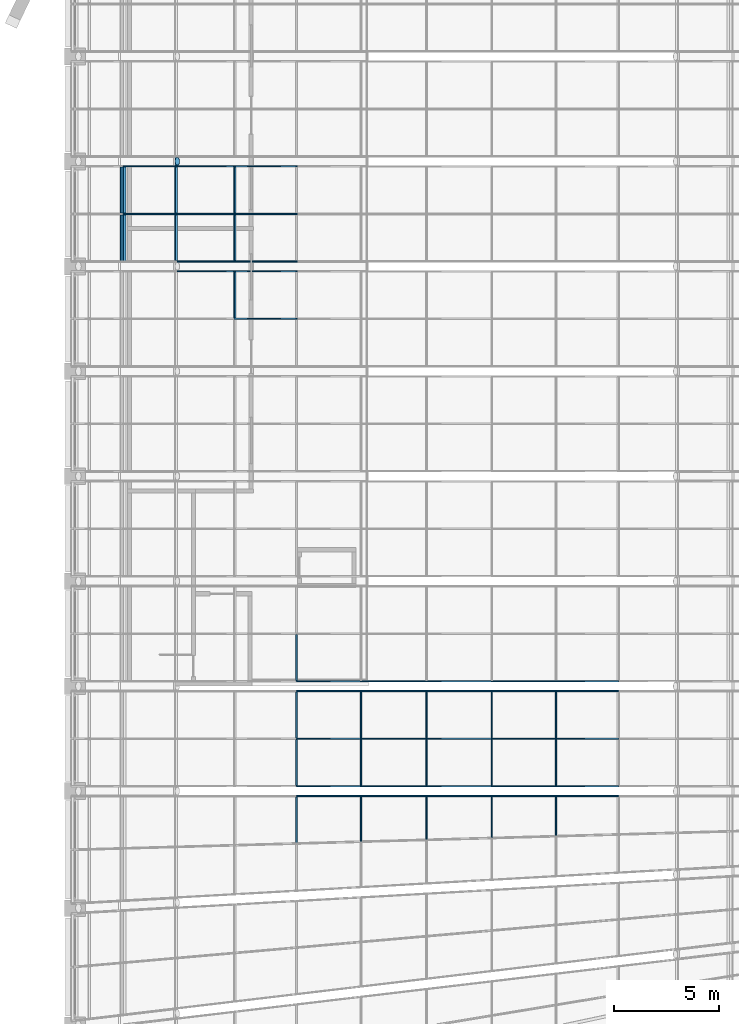
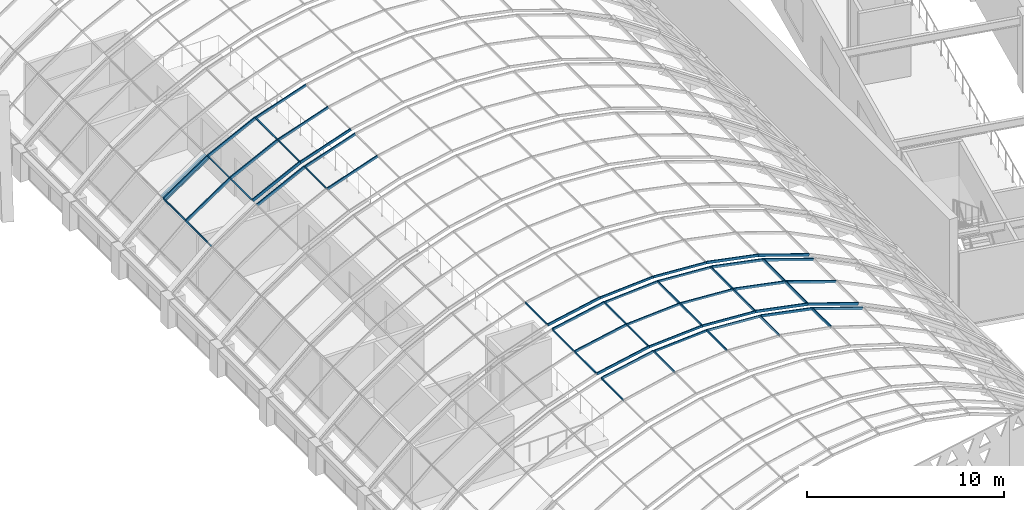
# One storey, part 42 of 182: 61 members, 5 elements without a shape of their own.
"""IFC4 building model written with IfcOpenShell, lengths in metres."""

from ifc_helpers import new_model, si_unit, direction, frame, origin, origin_2d, place, context, subcontext, project, spatial, rectangle, hollow_rectangle, hollow_circle, extrude, material, material_profile, profile_set, type_object, element, aggregate, save


model = new_model("IFC4")

# Units and contexts
model_context = context("Model", 3, precision=1e-05, world=origin(), true_north=direction((0.0, 1.0)))
body_context = subcontext(model_context, "Body", "Model", "MODEL_VIEW")
ifc_project = project(units=[si_unit("LENGTHUNIT", "METRE"), si_unit("AREAUNIT", "SQUARE_METRE"), si_unit("VOLUMEUNIT", "CUBIC_METRE"), si_unit("PLANEANGLEUNIT", "RADIAN"), si_unit("MASSUNIT", "GRAM", prefix="KILO")], contexts=[model_context])

# Site, building, storey
site_placement = place(None, origin())
site = spatial("IfcSite", under=ifc_project, at=site_placement, CompositionType="ELEMENT")
building_placement = place(site_placement, origin())
building = spatial("IfcBuilding", under=site, at=building_placement, Name="Okhra Congress Centre", CompositionType="ELEMENT")
storey_placement = place(building_placement, frame((0.0, 0.0, 7.199951171875)))
storey = spatial("IfcBuildingStorey", under=building, at=storey_placement, Name="L01", CompositionType="ELEMENT", Elevation=7.199951171875)

# Curtain wall, members
ifc_material_1 = material(Name="Aluminium frame with triple glazing", Category="aluminium")
curtain_wall_type = type_object("IfcCurtainWallType", Name="Glazed vault bay curtain wall", PredefinedType="NOTDEFINED", material=ifc_material_1)
curtain_wall_1_placement = place(storey_placement, origin())
curtain_wall_1 = element("IfcCurtainWall", 1, at=curtain_wall_1_placement, inside=storey, type_object=curtain_wall_type, Name="Vault glazing bay 3", PredefinedType="NOTDEFINED")
ifc_material_2 = material(Name="Aluminium alloy 6063", Category="aluminium")
ifc_material_profile_1 = material_profile(ifc_material_2, rectangle(XDim=0.06005859375, YDim=0.139892578125, at=origin_2d()), Name="AL 60x140")
ifc_profile_set_1 = profile_set([ifc_material_profile_1], Name="Aluminium alloy 6063")
member_type_1 = type_object("IfcMemberType", Name="Aluminium mullion 60x140", PredefinedType="MULLION", material=ifc_profile_set_1)
member_1_placement = place(storey_placement, frame((169.1337890625, 90.766845703125, 8.7392578125), z_axis=(0.997826129775, 0.0, 0.065901553385), x_axis=(0.0, 1.0, 0.0)))
member_1 = element("IfcMember", 2, at=member_1_placement, type_object=member_type_1, Name="Vault mullion 3.3.6", PredefinedType="MULLION", context=body_context, shape_type="SweptSolid", body=[
    extrude(rectangle(XDim=0.06005859375, YDim=0.139892578125, at=origin_2d()), origin(), (0.0, 0.0, 1.0), 3.123046875),
])
member_2_placement = place(storey_placement, frame((172.25, 90.766845703125, 8.945068359375), z_axis=(0.997826129775, 0.0, -0.065901553385), x_axis=(0.0, 1.0, 0.0)))
member_2 = element("IfcMember", 3, at=member_2_placement, type_object=member_type_1, Name="Vault mullion 3.3.7", PredefinedType="MULLION", context=body_context, shape_type="SweptSolid", body=[
    extrude(rectangle(XDim=0.06005859375, YDim=0.139892578125, at=origin_2d()), origin(), (0.0, 0.0, 1.0), 3.123046875),
])

curtain_wall_2_placement = place(storey_placement, origin())
curtain_wall_2 = element("IfcCurtainWall", 4, at=curtain_wall_2_placement, inside=storey, type_object=curtain_wall_type, Name="Vault glazing bay 4", PredefinedType="NOTDEFINED")
member_3_placement = place(storey_placement, frame((169.1337890625, 91.233154296875, 8.7392578125), z_axis=(0.997826129775, 0.0, 0.065901553385), x_axis=(0.0, 1.0, 0.0)))
member_3 = element("IfcMember", 5, at=member_3_placement, type_object=member_type_1, Name="Vault mullion 4.1.6", PredefinedType="MULLION", context=body_context, shape_type="SweptSolid", body=[
    extrude(rectangle(XDim=0.06005859375, YDim=0.139892578125, at=origin_2d()), origin(), (0.0, 0.0, 1.0), 3.123046875),
])
member_4_placement = place(storey_placement, frame((172.25, 91.233154296875, 8.945068359375), z_axis=(0.997826129775, 0.0, -0.065901553385), x_axis=(0.0, 1.0, 0.0)))
member_4 = element("IfcMember", 6, at=member_4_placement, type_object=member_type_1, Name="Vault mullion 4.1.7", PredefinedType="MULLION", context=body_context, shape_type="SweptSolid", body=[
    extrude(rectangle(XDim=0.06005859375, YDim=0.139892578125, at=origin_2d()), origin(), (0.0, 0.0, 1.0), 3.123046875),
])
member_5_placement = place(storey_placement, frame((169.1337890625, 93.5, 8.7392578125), z_axis=(0.997826129775, 0.0, 0.065901553385), x_axis=(0.0, 1.0, 0.0)))
member_5 = element("IfcMember", 7, at=member_5_placement, type_object=member_type_1, Name="Vault mullion 4.2.6", PredefinedType="MULLION", context=body_context, shape_type="SweptSolid", body=[
    extrude(rectangle(XDim=0.06005859375, YDim=0.139892578125, at=origin_2d()), origin(), (0.0, 0.0, 1.0), 3.123046875),
])
member_6_placement = place(storey_placement, frame((172.25, 93.5, 8.945068359375), z_axis=(0.997826129775, 0.0, -0.065901553385), x_axis=(0.0, 1.0, 0.0)))
member_6 = element("IfcMember", 8, at=member_6_placement, type_object=member_type_1, Name="Vault mullion 4.2.7", PredefinedType="MULLION", context=body_context, shape_type="SweptSolid", body=[
    extrude(rectangle(XDim=0.06005859375, YDim=0.139892578125, at=origin_2d()), origin(), (0.0, 0.0, 1.0), 3.123046875),
])
member_7_placement = place(storey_placement, frame((169.1337890625, 95.766845703125, 8.7392578125), z_axis=(0.997826129775, 0.0, 0.065901553385), x_axis=(0.0, 1.0, 0.0)))
member_7 = element("IfcMember", 9, at=member_7_placement, type_object=member_type_1, Name="Vault mullion 4.3.6", PredefinedType="MULLION", context=body_context, shape_type="SweptSolid", body=[
    extrude(rectangle(XDim=0.06005859375, YDim=0.139892578125, at=origin_2d()), origin(), (0.0, 0.0, 1.0), 3.123046875),
])
member_8_placement = place(storey_placement, frame((172.25, 95.766845703125, 8.945068359375), z_axis=(0.997826129775, 0.0, -0.065901553385), x_axis=(0.0, 1.0, 0.0)))
member_8 = element("IfcMember", 10, at=member_8_placement, type_object=member_type_1, Name="Vault mullion 4.3.7", PredefinedType="MULLION", context=body_context, shape_type="SweptSolid", body=[
    extrude(rectangle(XDim=0.06005859375, YDim=0.139892578125, at=origin_2d()), origin(), (0.0, 0.0, 1.0), 3.123046875),
])

curtain_wall_3_placement = place(storey_placement, origin())
curtain_wall_3 = element("IfcCurtainWall", 11, at=curtain_wall_3_placement, inside=storey, type_object=curtain_wall_type, Name="Vault glazing bay 5", PredefinedType="NOTDEFINED")
member_9_placement = place(storey_placement, frame((169.1337890625, 96.233154296875, 8.7392578125), z_axis=(0.997826129775, 0.0, 0.065901553385), x_axis=(0.0, 1.0, 0.0)))
member_9 = element("IfcMember", 12, at=member_9_placement, type_object=member_type_1, Name="Vault mullion 5.1.6", PredefinedType="MULLION", context=body_context, shape_type="SweptSolid", body=[
    extrude(rectangle(XDim=0.06005859375, YDim=0.139892578125, at=origin_2d()), origin(), (0.0, 0.0, 1.0), 3.123046875),
])
member_10_placement = place(storey_placement, frame((172.25, 96.233154296875, 8.945068359375), z_axis=(0.997826129775, 0.0, -0.065901553385), x_axis=(0.0, 1.0, 0.0)))
member_10 = element("IfcMember", 13, at=member_10_placement, type_object=member_type_1, Name="Vault mullion 5.1.7", PredefinedType="MULLION", context=body_context, shape_type="SweptSolid", body=[
    extrude(rectangle(XDim=0.06005859375, YDim=0.139892578125, at=origin_2d()), origin(), (0.0, 0.0, 1.0), 3.123046875),
])

# Member
ifc_material_profile_2 = material_profile(ifc_material_2, rectangle(XDim=0.06005859375, YDim=0.159912109375, at=origin_2d()), Name="AL 60x160")
ifc_profile_set_2 = profile_set([ifc_material_profile_2], Name="Aluminium alloy 6063")
member_type_2 = type_object("IfcMemberType", Name="Aluminium mullion 60x160", PredefinedType="MULLION", material=ifc_profile_set_2)
member_11_placement = place(storey_placement, frame((166.069091796875, 90.766845703125, 8.134765625), z_axis=(0.980484387086, 0.0, 0.196596965087), x_axis=(0.0, 1.0, 0.0)))
member_11 = element("IfcMember", 14, at=member_11_placement, type_object=member_type_2, Name="Vault mullion 3.3.5", PredefinedType="MULLION", context=body_context, shape_type="SweptSolid", body=[
    extrude(rectangle(XDim=0.06005859375, YDim=0.159912109375, at=origin_2d()), origin(), (0.0, 0.0, 1.0), 3.12451171875),
])

member_12_placement = place(storey_placement, frame((175.367431640625, 90.766845703125, 8.7490234375), z_axis=(0.980484387086, 0.0, -0.196596965087), x_axis=(0.0, 1.0, 0.0)))
member_12 = element("IfcMember", 15, at=member_12_placement, type_object=member_type_2, Name="Vault mullion 3.3.8", PredefinedType="MULLION", context=body_context, shape_type="SweptSolid", body=[
    extrude(rectangle(XDim=0.06005859375, YDim=0.159912109375, at=origin_2d()), origin(), (0.0, 0.0, 1.0), 3.12451171875),
])

member_13_placement = place(storey_placement, frame((178.430908203125, 90.766845703125, 8.134765625), z_axis=(0.946065064306, 0.0, -0.323976687587), x_axis=(0.0, 1.0, 0.0)))
member_13 = element("IfcMember", 16, at=member_13_placement, type_object=member_type_2, Name="Vault mullion 3.3.9", PredefinedType="MULLION", context=body_context, shape_type="SweptSolid", body=[
    extrude(rectangle(XDim=0.06005859375, YDim=0.159912109375, at=origin_2d()), origin(), (0.0, 0.0, 1.0), 3.124267578125),
])

member_14_placement = place(storey_placement, frame((166.069091796875, 91.233154296875, 8.134765625), z_axis=(0.980484387086, 0.0, 0.196596965087), x_axis=(0.0, 1.0, 0.0)))
member_14 = element("IfcMember", 17, at=member_14_placement, type_object=member_type_2, Name="Vault mullion 4.1.5", PredefinedType="MULLION", context=body_context, shape_type="SweptSolid", body=[
    extrude(rectangle(XDim=0.06005859375, YDim=0.159912109375, at=origin_2d()), origin(), (0.0, 0.0, 1.0), 3.12451171875),
])

member_15_placement = place(storey_placement, frame((175.367431640625, 91.233154296875, 8.7490234375), z_axis=(0.980484387086, 0.0, -0.196596965087), x_axis=(0.0, 1.0, 0.0)))
member_15 = element("IfcMember", 18, at=member_15_placement, type_object=member_type_2, Name="Vault mullion 4.1.8", PredefinedType="MULLION", context=body_context, shape_type="SweptSolid", body=[
    extrude(rectangle(XDim=0.06005859375, YDim=0.159912109375, at=origin_2d()), origin(), (0.0, 0.0, 1.0), 3.12451171875),
])

member_16_placement = place(storey_placement, frame((178.430908203125, 91.233154296875, 8.134765625), z_axis=(0.946065064306, 0.0, -0.323976687587), x_axis=(0.0, 1.0, 0.0)))
member_16 = element("IfcMember", 19, at=member_16_placement, type_object=member_type_2, Name="Vault mullion 4.1.9", PredefinedType="MULLION", context=body_context, shape_type="SweptSolid", body=[
    extrude(rectangle(XDim=0.06005859375, YDim=0.159912109375, at=origin_2d()), origin(), (0.0, 0.0, 1.0), 3.124267578125),
])

member_17_placement = place(storey_placement, frame((166.069091796875, 93.5, 8.134765625), z_axis=(0.980484387086, 0.0, 0.196596965087), x_axis=(0.0, 1.0, 0.0)))
member_17 = element("IfcMember", 20, at=member_17_placement, type_object=member_type_2, Name="Vault mullion 4.2.5", PredefinedType="MULLION", context=body_context, shape_type="SweptSolid", body=[
    extrude(rectangle(XDim=0.06005859375, YDim=0.159912109375, at=origin_2d()), origin(), (0.0, 0.0, 1.0), 3.12451171875),
])

member_18_placement = place(storey_placement, frame((175.367431640625, 93.5, 8.7490234375), z_axis=(0.980484387086, 0.0, -0.196596965087), x_axis=(0.0, 1.0, 0.0)))
member_18 = element("IfcMember", 21, at=member_18_placement, type_object=member_type_2, Name="Vault mullion 4.2.8", PredefinedType="MULLION", context=body_context, shape_type="SweptSolid", body=[
    extrude(rectangle(XDim=0.06005859375, YDim=0.159912109375, at=origin_2d()), origin(), (0.0, 0.0, 1.0), 3.12451171875),
])

member_19_placement = place(storey_placement, frame((178.430908203125, 93.5, 8.134765625), z_axis=(0.946065064306, 0.0, -0.323976687587), x_axis=(0.0, 1.0, 0.0)))
member_19 = element("IfcMember", 22, at=member_19_placement, type_object=member_type_2, Name="Vault mullion 4.2.9", PredefinedType="MULLION", context=body_context, shape_type="SweptSolid", body=[
    extrude(rectangle(XDim=0.06005859375, YDim=0.159912109375, at=origin_2d()), origin(), (0.0, 0.0, 1.0), 3.124267578125),
])

member_20_placement = place(storey_placement, frame((166.069091796875, 95.766845703125, 8.134765625), z_axis=(0.980484387086, 0.0, 0.196596965087), x_axis=(0.0, 1.0, 0.0)))
member_20 = element("IfcMember", 23, at=member_20_placement, type_object=member_type_2, Name="Vault mullion 4.3.5", PredefinedType="MULLION", context=body_context, shape_type="SweptSolid", body=[
    extrude(rectangle(XDim=0.06005859375, YDim=0.159912109375, at=origin_2d()), origin(), (0.0, 0.0, 1.0), 3.12451171875),
])

member_21_placement = place(storey_placement, frame((175.367431640625, 95.766845703125, 8.7490234375), z_axis=(0.980484387086, 0.0, -0.196596965087), x_axis=(0.0, 1.0, 0.0)))
member_21 = element("IfcMember", 24, at=member_21_placement, type_object=member_type_2, Name="Vault mullion 4.3.8", PredefinedType="MULLION", context=body_context, shape_type="SweptSolid", body=[
    extrude(rectangle(XDim=0.06005859375, YDim=0.159912109375, at=origin_2d()), origin(), (0.0, 0.0, 1.0), 3.12451171875),
])

member_22_placement = place(storey_placement, frame((178.430908203125, 95.766845703125, 8.134765625), z_axis=(0.946065064306, 0.0, -0.323976687587), x_axis=(0.0, 1.0, 0.0)))
member_22 = element("IfcMember", 25, at=member_22_placement, type_object=member_type_2, Name="Vault mullion 4.3.9", PredefinedType="MULLION", context=body_context, shape_type="SweptSolid", body=[
    extrude(rectangle(XDim=0.06005859375, YDim=0.159912109375, at=origin_2d()), origin(), (0.0, 0.0, 1.0), 3.124267578125),
])

member_23_placement = place(storey_placement, frame((166.069091796875, 96.233154296875, 8.134765625), z_axis=(0.980484387086, 0.0, 0.196596965087), x_axis=(0.0, 1.0, 0.0)))
member_23 = element("IfcMember", 26, at=member_23_placement, type_object=member_type_2, Name="Vault mullion 5.1.5", PredefinedType="MULLION", context=body_context, shape_type="SweptSolid", body=[
    extrude(rectangle(XDim=0.06005859375, YDim=0.159912109375, at=origin_2d()), origin(), (0.0, 0.0, 1.0), 3.12451171875),
])

member_24_placement = place(storey_placement, frame((175.367431640625, 96.233154296875, 8.7490234375), z_axis=(0.980484387086, 0.0, -0.196596965087), x_axis=(0.0, 1.0, 0.0)))
member_24 = element("IfcMember", 27, at=member_24_placement, type_object=member_type_2, Name="Vault mullion 5.1.8", PredefinedType="MULLION", context=body_context, shape_type="SweptSolid", body=[
    extrude(rectangle(XDim=0.06005859375, YDim=0.159912109375, at=origin_2d()), origin(), (0.0, 0.0, 1.0), 3.12451171875),
])

member_25_placement = place(storey_placement, frame((178.430908203125, 96.233154296875, 8.134765625), z_axis=(0.946065064306, 0.0, -0.323976687587), x_axis=(0.0, 1.0, 0.0)))
member_25 = element("IfcMember", 28, at=member_25_placement, type_object=member_type_2, Name="Vault mullion 5.1.9", PredefinedType="MULLION", context=body_context, shape_type="SweptSolid", body=[
    extrude(rectangle(XDim=0.06005859375, YDim=0.159912109375, at=origin_2d()), origin(), (0.0, 0.0, 1.0), 3.124267578125),
])

# Curtain wall, members
curtain_wall_4_placement = place(storey_placement, origin())
curtain_wall_4 = element("IfcCurtainWall", 29, at=curtain_wall_4_placement, inside=storey, type_object=curtain_wall_type, Name="Vault glazing bay 8", PredefinedType="NOTDEFINED")
member_26_placement = place(storey_placement, frame((163.11328125, 113.5, 7.12255859375), z_axis=(0.946065064306, 0.0, 0.323976687587), x_axis=(0.0, 1.0, 0.0)))
member_26 = element("IfcMember", 30, at=member_26_placement, type_object=member_type_2, Name="Vault mullion 8.2.4", PredefinedType="MULLION", context=body_context, shape_type="SweptSolid", body=[
    extrude(rectangle(XDim=0.06005859375, YDim=0.159912109375, at=origin_2d()), origin(), (0.0, 0.0, 1.0), 3.124267578125),
])
member_27_placement = place(storey_placement, frame((163.11328125, 115.766845703125, 7.12255859375), z_axis=(0.946065064306, 0.0, 0.323976687587), x_axis=(0.0, 1.0, 0.0)))
member_27 = element("IfcMember", 31, at=member_27_placement, type_object=member_type_2, Name="Vault mullion 8.3.4", PredefinedType="MULLION", context=body_context, shape_type="SweptSolid", body=[
    extrude(rectangle(XDim=0.06005859375, YDim=0.159912109375, at=origin_2d()), origin(), (0.0, 0.0, 1.0), 3.124267578125),
])

curtain_wall_5_placement = place(storey_placement, origin())
curtain_wall_5 = element("IfcCurtainWall", 32, at=curtain_wall_5_placement, inside=storey, type_object=curtain_wall_type, Name="Vault glazing bay 9", PredefinedType="NOTDEFINED")
member_28_placement = place(storey_placement, frame((163.11328125, 116.233154296875, 7.12255859375), z_axis=(0.946065064306, 0.0, 0.323976687587), x_axis=(0.0, 1.0, 0.0)))
member_28 = element("IfcMember", 33, at=member_28_placement, type_object=member_type_2, Name="Vault mullion 9.1.4", PredefinedType="MULLION", context=body_context, shape_type="SweptSolid", body=[
    extrude(rectangle(XDim=0.06005859375, YDim=0.159912109375, at=origin_2d()), origin(), (0.0, 0.0, 1.0), 3.124267578125),
])
member_29_placement = place(storey_placement, frame((163.11328125, 118.5, 7.12255859375), z_axis=(0.946065064306, 0.0, 0.323976687587), x_axis=(0.0, 1.0, 0.0)))
member_29 = element("IfcMember", 34, at=member_29_placement, type_object=member_type_2, Name="Vault mullion 9.2.4", PredefinedType="MULLION", context=body_context, shape_type="SweptSolid", body=[
    extrude(rectangle(XDim=0.06005859375, YDim=0.159912109375, at=origin_2d()), origin(), (0.0, 0.0, 1.0), 3.124267578125),
])
member_30_placement = place(storey_placement, frame((163.11328125, 120.766845703125, 7.12255859375), z_axis=(0.946065064306, 0.0, 0.323976687587), x_axis=(0.0, 1.0, 0.0)))
member_30 = element("IfcMember", 35, at=member_30_placement, type_object=member_type_2, Name="Vault mullion 9.3.4", PredefinedType="MULLION", context=body_context, shape_type="SweptSolid", body=[
    extrude(rectangle(XDim=0.06005859375, YDim=0.159912109375, at=origin_2d()), origin(), (0.0, 0.0, 1.0), 3.124267578125),
])

# Member
ifc_material_profile_3 = material_profile(ifc_material_2, rectangle(XDim=0.06005859375, YDim=0.179931640625, at=origin_2d()), Name="AL 60x180")
ifc_profile_set_3 = profile_set([ifc_material_profile_3], Name="Aluminium alloy 6063")
member_type_3 = type_object("IfcMemberType", Name="Aluminium mullion 60x180", PredefinedType="MULLION", material=ifc_profile_set_3)
member_31_placement = place(storey_placement, frame((160.311279296875, 115.766845703125, 5.7392578125), z_axis=(0.895253656313, 0.0, 0.445556832354), x_axis=(0.0, 1.0, 0.0)))
member_31 = element("IfcMember", 36, at=member_31_placement, type_object=member_type_3, Name="Vault mullion 8.3.3", PredefinedType="MULLION", context=body_context, shape_type="SweptSolid", body=[
    extrude(rectangle(XDim=0.06005859375, YDim=0.179931640625, at=origin_2d()), origin(), (0.0, 0.0, 1.0), 3.12548828125),
])

member_32_placement = place(storey_placement, frame((160.311279296875, 116.233154296875, 5.7392578125), z_axis=(0.895253656313, 0.0, 0.445556832354), x_axis=(0.0, 1.0, 0.0)))
member_32 = element("IfcMember", 37, at=member_32_placement, type_object=member_type_3, Name="Vault mullion 9.1.3", PredefinedType="MULLION", context=body_context, shape_type="SweptSolid", body=[
    extrude(rectangle(XDim=0.06005859375, YDim=0.179931640625, at=origin_2d()), origin(), (0.0, 0.0, 1.0), 3.12548828125),
])

member_33_placement = place(storey_placement, frame((157.720703125, 118.5, 3.990478515625), z_axis=(0.828827846338, 0.0, 0.559503709671), x_axis=(0.0, 1.0, 0.0)))
member_33 = element("IfcMember", 38, at=member_33_placement, type_object=member_type_3, Name="Vault mullion 9.2.2", PredefinedType="MULLION", context=body_context, shape_type="SweptSolid", body=[
    extrude(rectangle(XDim=0.06005859375, YDim=0.179931640625, at=origin_2d()), origin(), (0.0, 0.0, 1.0), 3.12548828125),
])

member_34_placement = place(storey_placement, frame((160.311279296875, 118.5, 5.7392578125), z_axis=(0.895253656313, 0.0, 0.445556832354), x_axis=(0.0, 1.0, 0.0)))
member_34 = element("IfcMember", 39, at=member_34_placement, type_object=member_type_3, Name="Vault mullion 9.2.3", PredefinedType="MULLION", context=body_context, shape_type="SweptSolid", body=[
    extrude(rectangle(XDim=0.06005859375, YDim=0.179931640625, at=origin_2d()), origin(), (0.0, 0.0, 1.0), 3.12548828125),
])

member_35_placement = place(storey_placement, frame((157.720703125, 120.766845703125, 3.990478515625), z_axis=(0.828827846338, 0.0, 0.559503709671), x_axis=(0.0, 1.0, 0.0)))
member_35 = element("IfcMember", 40, at=member_35_placement, type_object=member_type_3, Name="Vault mullion 9.3.2", PredefinedType="MULLION", context=body_context, shape_type="SweptSolid", body=[
    extrude(rectangle(XDim=0.06005859375, YDim=0.179931640625, at=origin_2d()), origin(), (0.0, 0.0, 1.0), 3.12548828125),
])

member_36_placement = place(storey_placement, frame((160.311279296875, 120.766845703125, 5.7392578125), z_axis=(0.895253656313, 0.0, 0.445556832354), x_axis=(0.0, 1.0, 0.0)))
member_36 = element("IfcMember", 41, at=member_36_placement, type_object=member_type_3, Name="Vault mullion 9.3.3", PredefinedType="MULLION", context=body_context, shape_type="SweptSolid", body=[
    extrude(rectangle(XDim=0.06005859375, YDim=0.179931640625, at=origin_2d()), origin(), (0.0, 0.0, 1.0), 3.12548828125),
])

ifc_material_profile_4 = material_profile(ifc_material_2, rectangle(XDim=0.06005859375, YDim=0.139892578125, at=origin_2d()), Name="AL 60x140 transom")
ifc_profile_set_4 = profile_set([ifc_material_profile_4], Name="Aluminium alloy 6063")
member_type_4 = type_object("IfcMemberType", Name="Aluminium transom 60x140", PredefinedType="USERDEFINED", material=ifc_profile_set_4)
member_37_placement = place(storey_placement, frame((169.1337890625, 88.621337890625, 8.7392578125), z_axis=(0.0, 1.0, 0.0), x_axis=(-0.991307202734, 0.0, -0.131567586459)))
member_37 = element("IfcMember", 42, at=member_37_placement, type_object=member_type_4, Name="Vault transom 3.2.6", ObjectType="TRANSOM", PredefinedType="USERDEFINED", context=body_context, shape_type="SweptSolid", body=[
    extrude(rectangle(XDim=0.06005859375, YDim=0.139892578125, at=origin_2d()), origin(), (0.0, 0.0, 1.0), 2.115478515625),
])

member_38_placement = place(storey_placement, frame((172.25, 88.708984375, 8.945068359375), z_axis=(0.0, 1.0, 0.0), x_axis=(-1.0, 0.0, 0.0)))
member_38 = element("IfcMember", 43, at=member_38_placement, type_object=member_type_4, Name="Vault transom 3.2.7", ObjectType="TRANSOM", PredefinedType="USERDEFINED", context=body_context, shape_type="SweptSolid", body=[
    extrude(rectangle(XDim=0.06005859375, YDim=0.139892578125, at=origin_2d()), origin(), (0.0, 0.0, 1.0), 2.02783203125),
])

member_39_placement = place(storey_placement, frame((175.3662109375, 88.796630859375, 8.7392578125), z_axis=(0.0, 1.0, 0.0), x_axis=(-0.991307202734, 0.0, 0.131567586459)))
member_39 = element("IfcMember", 44, at=member_39_placement, type_object=member_type_4, Name="Vault transom 3.2.8", ObjectType="TRANSOM", PredefinedType="USERDEFINED", context=body_context, shape_type="SweptSolid", body=[
    extrude(rectangle(XDim=0.06005859375, YDim=0.139892578125, at=origin_2d()), origin(), (0.0, 0.0, 1.0), 1.940185546875),
])

member_40_placement = place(storey_placement, frame((169.1337890625, 91.26318359375, 8.7392578125), z_axis=(0.0, 1.0, 0.0), x_axis=(-0.991307202734, 0.0, -0.131567586459)))
member_40 = element("IfcMember", 45, at=member_40_placement, type_object=member_type_4, Name="Vault transom 4.1.6", ObjectType="TRANSOM", PredefinedType="USERDEFINED", context=body_context, shape_type="SweptSolid", body=[
    extrude(rectangle(XDim=0.06005859375, YDim=0.139892578125, at=origin_2d()), origin(), (0.0, 0.0, 1.0), 2.206787109375),
])

member_41_placement = place(storey_placement, frame((172.25, 91.26318359375, 8.945068359375), z_axis=(0.0, 1.0, 0.0), x_axis=(-1.0, 0.0, 0.0)))
member_41 = element("IfcMember", 46, at=member_41_placement, type_object=member_type_4, Name="Vault transom 4.1.7", ObjectType="TRANSOM", PredefinedType="USERDEFINED", context=body_context, shape_type="SweptSolid", body=[
    extrude(rectangle(XDim=0.06005859375, YDim=0.139892578125, at=origin_2d()), origin(), (0.0, 0.0, 1.0), 2.206787109375),
])

member_42_placement = place(storey_placement, frame((175.3662109375, 91.26318359375, 8.7392578125), z_axis=(0.0, 1.0, 0.0), x_axis=(-0.991307202734, 0.0, 0.131567586459)))
member_42 = element("IfcMember", 47, at=member_42_placement, type_object=member_type_4, Name="Vault transom 4.1.8", ObjectType="TRANSOM", PredefinedType="USERDEFINED", context=body_context, shape_type="SweptSolid", body=[
    extrude(rectangle(XDim=0.06005859375, YDim=0.139892578125, at=origin_2d()), origin(), (0.0, 0.0, 1.0), 2.206787109375),
])

member_43_placement = place(storey_placement, frame((169.1337890625, 93.530029296875, 8.7392578125), z_axis=(0.0, 1.0, 0.0), x_axis=(-0.991307202734, 0.0, -0.131567586459)))
member_43 = element("IfcMember", 48, at=member_43_placement, type_object=member_type_4, Name="Vault transom 4.2.6", ObjectType="TRANSOM", PredefinedType="USERDEFINED", context=body_context, shape_type="SweptSolid", body=[
    extrude(rectangle(XDim=0.06005859375, YDim=0.139892578125, at=origin_2d()), origin(), (0.0, 0.0, 1.0), 2.206787109375),
])

member_44_placement = place(storey_placement, frame((172.25, 93.530029296875, 8.945068359375), z_axis=(0.0, 1.0, 0.0), x_axis=(-1.0, 0.0, 0.0)))
member_44 = element("IfcMember", 49, at=member_44_placement, type_object=member_type_4, Name="Vault transom 4.2.7", ObjectType="TRANSOM", PredefinedType="USERDEFINED", context=body_context, shape_type="SweptSolid", body=[
    extrude(rectangle(XDim=0.06005859375, YDim=0.139892578125, at=origin_2d()), origin(), (0.0, 0.0, 1.0), 2.206787109375),
])

member_45_placement = place(storey_placement, frame((175.3662109375, 93.530029296875, 8.7392578125), z_axis=(0.0, 1.0, 0.0), x_axis=(-0.991307202734, 0.0, 0.131567586459)))
member_45 = element("IfcMember", 50, at=member_45_placement, type_object=member_type_4, Name="Vault transom 4.2.8", ObjectType="TRANSOM", PredefinedType="USERDEFINED", context=body_context, shape_type="SweptSolid", body=[
    extrude(rectangle(XDim=0.06005859375, YDim=0.139892578125, at=origin_2d()), origin(), (0.0, 0.0, 1.0), 2.206787109375),
])

ifc_material_profile_5 = material_profile(ifc_material_2, rectangle(XDim=0.06005859375, YDim=0.159912109375, at=origin_2d()), Name="AL 60x160 transom")
ifc_profile_set_5 = profile_set([ifc_material_profile_5], Name="Aluminium alloy 6063")
member_type_5 = type_object("IfcMemberType", Name="Aluminium transom 60x160", PredefinedType="USERDEFINED", material=ifc_profile_set_5)
member_46_placement = place(storey_placement, frame((166.069091796875, 88.53515625, 8.134765625), z_axis=(0.0, 1.0, 0.0), x_axis=(-0.965379940391, 0.0, -0.260847792191)))
member_46 = element("IfcMember", 51, at=member_46_placement, type_object=member_type_5, Name="Vault transom 3.2.5", ObjectType="TRANSOM", PredefinedType="USERDEFINED", context=body_context, shape_type="SweptSolid", body=[
    extrude(rectangle(XDim=0.06005859375, YDim=0.159912109375, at=origin_2d()), origin(), (0.0, 0.0, 1.0), 2.20166015625),
])

member_47_placement = place(storey_placement, frame((178.430908203125, 88.8828125, 8.134765625), z_axis=(0.0, 1.0, 0.0), x_axis=(-0.965379940391, 0.0, 0.260847792191)))
member_47 = element("IfcMember", 52, at=member_47_placement, type_object=member_type_5, Name="Vault transom 3.2.9", ObjectType="TRANSOM", PredefinedType="USERDEFINED", context=body_context, shape_type="SweptSolid", body=[
    extrude(rectangle(XDim=0.06005859375, YDim=0.159912109375, at=origin_2d()), origin(), (0.0, 0.0, 1.0), 1.85400390625),
])

aggregate(curtain_wall_1, [member_11, member_1, member_2, member_12, member_13, member_46, member_37, member_38, member_39, member_47])

member_48_placement = place(storey_placement, frame((166.069091796875, 91.26318359375, 8.134765625), z_axis=(0.0, 1.0, 0.0), x_axis=(-0.965379940391, 0.0, -0.260847792191)))
member_48 = element("IfcMember", 53, at=member_48_placement, type_object=member_type_5, Name="Vault transom 4.1.5", ObjectType="TRANSOM", PredefinedType="USERDEFINED", context=body_context, shape_type="SweptSolid", body=[
    extrude(rectangle(XDim=0.06005859375, YDim=0.159912109375, at=origin_2d()), origin(), (0.0, 0.0, 1.0), 2.206787109375),
])

member_49_placement = place(storey_placement, frame((178.430908203125, 91.26318359375, 8.134765625), z_axis=(0.0, 1.0, 0.0), x_axis=(-0.965379940391, 0.0, 0.260847792191)))
member_49 = element("IfcMember", 54, at=member_49_placement, type_object=member_type_5, Name="Vault transom 4.1.9", ObjectType="TRANSOM", PredefinedType="USERDEFINED", context=body_context, shape_type="SweptSolid", body=[
    extrude(rectangle(XDim=0.06005859375, YDim=0.159912109375, at=origin_2d()), origin(), (0.0, 0.0, 1.0), 2.206787109375),
])

member_50_placement = place(storey_placement, frame((166.069091796875, 93.530029296875, 8.134765625), z_axis=(0.0, 1.0, 0.0), x_axis=(-0.965379940391, 0.0, -0.260847792191)))
member_50 = element("IfcMember", 55, at=member_50_placement, type_object=member_type_5, Name="Vault transom 4.2.5", ObjectType="TRANSOM", PredefinedType="USERDEFINED", context=body_context, shape_type="SweptSolid", body=[
    extrude(rectangle(XDim=0.06005859375, YDim=0.159912109375, at=origin_2d()), origin(), (0.0, 0.0, 1.0), 2.206787109375),
])

member_51_placement = place(storey_placement, frame((178.430908203125, 93.530029296875, 8.134765625), z_axis=(0.0, 1.0, 0.0), x_axis=(-0.965379940391, 0.0, 0.260847792191)))
member_51 = element("IfcMember", 56, at=member_51_placement, type_object=member_type_5, Name="Vault transom 4.2.9", ObjectType="TRANSOM", PredefinedType="USERDEFINED", context=body_context, shape_type="SweptSolid", body=[
    extrude(rectangle(XDim=0.06005859375, YDim=0.159912109375, at=origin_2d()), origin(), (0.0, 0.0, 1.0), 2.206787109375),
])

aggregate(curtain_wall_2, [member_14, member_3, member_4, member_15, member_16, member_17, member_5, member_6, member_18, member_19, member_20, member_7, member_8, member_21, member_22, member_48, member_40, member_41, member_42, member_49, member_50, member_43, member_44, member_45, member_51])

member_52_placement = place(storey_placement, frame((166.069091796875, 96.26318359375, 8.134765625), z_axis=(0.0, 1.0, 0.0), x_axis=(-0.965379940391, 0.0, -0.260847792191)))
member_52 = element("IfcMember", 57, at=member_52_placement, type_object=member_type_5, Name="Vault transom 5.1.5", ObjectType="TRANSOM", PredefinedType="USERDEFINED", context=body_context, shape_type="SweptSolid", body=[
    extrude(rectangle(XDim=0.06005859375, YDim=0.159912109375, at=origin_2d()), origin(), (0.0, 0.0, 1.0), 2.206787109375),
])

aggregate(curtain_wall_3, [member_23, member_9, member_10, member_24, member_25, member_52])

member_53_placement = place(storey_placement, frame((163.11328125, 113.530029296875, 7.12255859375), z_axis=(0.0, 1.0, 0.0), x_axis=(-0.922668973833, 0.0, -0.38559300399)))
member_53 = element("IfcMember", 58, at=member_53_placement, type_object=member_type_5, Name="Vault transom 8.2.4", ObjectType="TRANSOM", PredefinedType="USERDEFINED", context=body_context, shape_type="SweptSolid", body=[
    extrude(rectangle(XDim=0.06005859375, YDim=0.159912109375, at=origin_2d()), origin(), (0.0, 0.0, 1.0), 2.206787109375),
])

aggregate(curtain_wall_4, [member_26, member_31, member_27, member_53])

member_54_placement = place(storey_placement, frame((163.11328125, 116.26318359375, 7.12255859375), z_axis=(0.0, 1.0, 0.0), x_axis=(-0.922668973833, 0.0, -0.38559300399)))
member_54 = element("IfcMember", 59, at=member_54_placement, type_object=member_type_5, Name="Vault transom 9.1.4", ObjectType="TRANSOM", PredefinedType="USERDEFINED", context=body_context, shape_type="SweptSolid", body=[
    extrude(rectangle(XDim=0.06005859375, YDim=0.159912109375, at=origin_2d()), origin(), (0.0, 0.0, 1.0), 2.206787109375),
])

member_55_placement = place(storey_placement, frame((163.11328125, 118.530029296875, 7.12255859375), z_axis=(0.0, 1.0, 0.0), x_axis=(-0.922668973833, 0.0, -0.38559300399)))
member_55 = element("IfcMember", 60, at=member_55_placement, type_object=member_type_5, Name="Vault transom 9.2.4", ObjectType="TRANSOM", PredefinedType="USERDEFINED", context=body_context, shape_type="SweptSolid", body=[
    extrude(rectangle(XDim=0.06005859375, YDim=0.159912109375, at=origin_2d()), origin(), (0.0, 0.0, 1.0), 2.206787109375),
])

ifc_material_profile_6 = material_profile(ifc_material_2, rectangle(XDim=0.06005859375, YDim=0.179931640625, at=origin_2d()), Name="AL 60x180 transom")
ifc_profile_set_6 = profile_set([ifc_material_profile_6], Name="Aluminium alloy 6063")
member_type_6 = type_object("IfcMemberType", Name="Aluminium transom 60x180", PredefinedType="USERDEFINED", material=ifc_profile_set_6)
member_56_placement = place(storey_placement, frame((157.720703125, 116.26318359375, 3.990478515625), z_axis=(0.0, 1.0, 0.0), x_axis=(-0.790145035185, 0.0, -0.612919915954)))
member_56 = element("IfcMember", 61, at=member_56_placement, type_object=member_type_6, Name="Vault transom 9.1.2", ObjectType="TRANSOM", PredefinedType="USERDEFINED", context=body_context, shape_type="SweptSolid", body=[
    extrude(rectangle(XDim=0.06005859375, YDim=0.179931640625, at=origin_2d()), origin(), (0.0, 0.0, 1.0), 2.206787109375),
])

member_57_placement = place(storey_placement, frame((160.311279296875, 116.26318359375, 5.7392578125), z_axis=(0.0, 1.0, 0.0), x_axis=(-0.86391685861, 0.0, -0.503634452167)))
member_57 = element("IfcMember", 62, at=member_57_placement, type_object=member_type_6, Name="Vault transom 9.1.3", ObjectType="TRANSOM", PredefinedType="USERDEFINED", context=body_context, shape_type="SweptSolid", body=[
    extrude(rectangle(XDim=0.06005859375, YDim=0.179931640625, at=origin_2d()), origin(), (0.0, 0.0, 1.0), 2.206787109375),
])

member_58_placement = place(storey_placement, frame((157.720703125, 118.530029296875, 3.990478515625), z_axis=(0.0, 1.0, 0.0), x_axis=(-0.790145035185, 0.0, -0.612919915954)))
member_58 = element("IfcMember", 63, at=member_58_placement, type_object=member_type_6, Name="Vault transom 9.2.2", ObjectType="TRANSOM", PredefinedType="USERDEFINED", context=body_context, shape_type="SweptSolid", body=[
    extrude(rectangle(XDim=0.06005859375, YDim=0.179931640625, at=origin_2d()), origin(), (0.0, 0.0, 1.0), 2.206787109375),
])

member_59_placement = place(storey_placement, frame((160.311279296875, 118.530029296875, 5.7392578125), z_axis=(0.0, 1.0, 0.0), x_axis=(-0.86391685861, 0.0, -0.503634452167)))
member_59 = element("IfcMember", 64, at=member_59_placement, type_object=member_type_6, Name="Vault transom 9.2.3", ObjectType="TRANSOM", PredefinedType="USERDEFINED", context=body_context, shape_type="SweptSolid", body=[
    extrude(rectangle(XDim=0.06005859375, YDim=0.179931640625, at=origin_2d()), origin(), (0.0, 0.0, 1.0), 2.206787109375),
])

aggregate(curtain_wall_5, [member_32, member_28, member_33, member_34, member_29, member_35, member_36, member_30, member_56, member_57, member_54, member_58, member_59, member_55])

# Members
ifc_material_3 = material(Name="Steel S355J2", Category="steel")
ifc_material_profile_7 = material_profile(ifc_material_3, hollow_rectangle(XDim=0.10009765625, YDim=0.199951171875, WallThickness=0.008056640625, at=origin_2d()), Name="RHS 200x100x8")
ifc_profile_set_7 = profile_set([ifc_material_profile_7], Name="Steel S355J2")
member_type_7 = type_object("IfcMemberType", Name="Steel purlin RHS 200x100x8", PredefinedType="PURLIN", material=ifc_profile_set_7)
member_60_placement = place(storey_placement, frame((157.837158203125, 116.203125, 3.84033203125), z_axis=(0.0, 1.0, 0.0), x_axis=(-0.790145035185, 0.0, -0.612919915954)))
element("IfcMember", 65, at=member_60_placement, inside=storey, type_object=member_type_7, Name="Vault purlin 9.1", PredefinedType="PURLIN", context=body_context, shape_type="SweptSolid", body=[
    extrude(hollow_rectangle(XDim=0.10009765625, YDim=0.199951171875, WallThickness=0.008056640625, at=origin_2d()), origin(), (0.0, 0.0, 1.0), 4.59375),
])
ifc_material_profile_8 = material_profile(ifc_material_3, hollow_circle(Radius=0.203125, WallThickness=0.01611328125, at=origin_2d()), Name="CHS 406.4x16")
ifc_profile_set_8 = profile_set([ifc_material_profile_8], Name="Steel S355J2")
member_type_8 = type_object("IfcMemberType", Name="Tubular steel arch rib CHS 406x16", PredefinedType="USERDEFINED", material=ifc_profile_set_8)
member_61_placement = place(storey_placement, frame((157.8330078125, 121.0, 3.86767578125), z_axis=(0.82882567543, 0.0, 0.559506925558), x_axis=(0.0, 1.0, 0.0)))
element("IfcMember", 66, at=member_61_placement, inside=storey, type_object=member_type_8, Name="Arch rib 10.2", ObjectType="Arch rib", PredefinedType="USERDEFINED", context=body_context, shape_type="SweptSolid", body=[
    extrude(hollow_circle(Radius=0.203125, WallThickness=0.01611328125, at=origin_2d()), origin(), (0.0, 0.0, 1.0), 3.07666015625),
])

save(model, "model.ifc")
